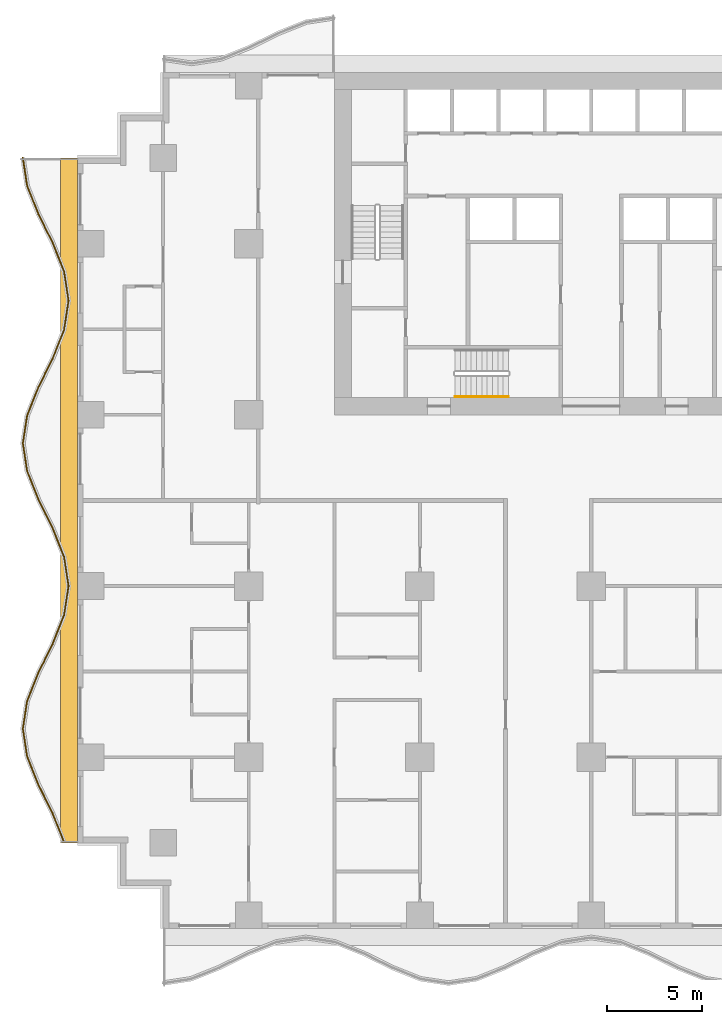
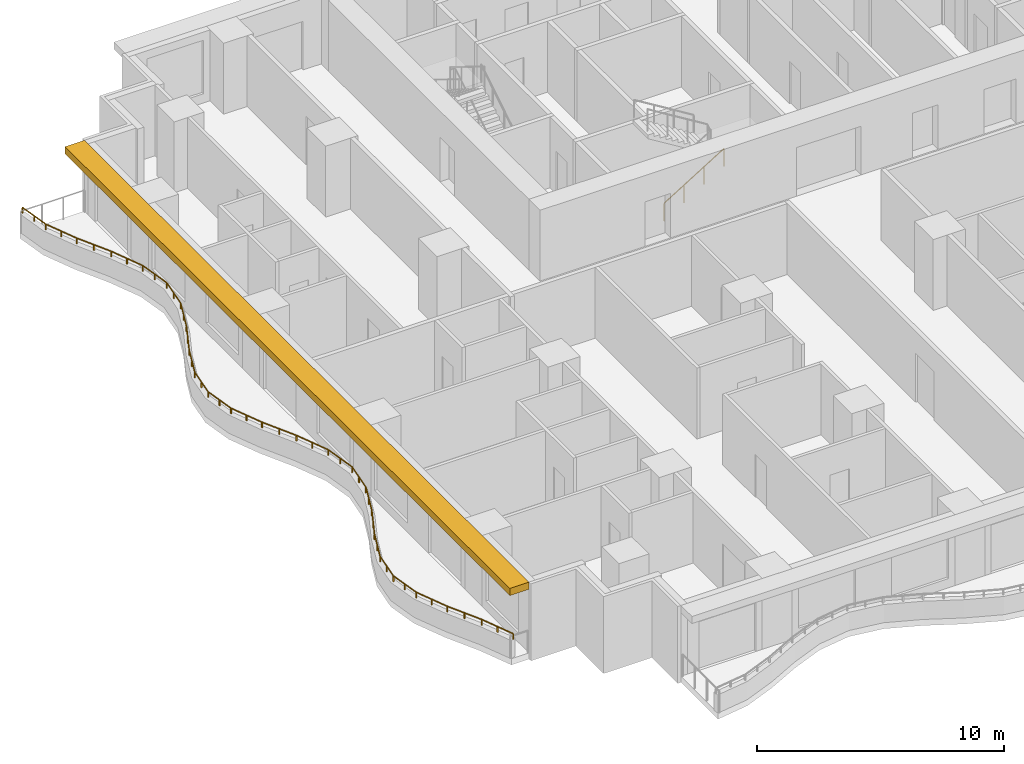
# One storey, part 8 of 13: 2 railings, 1 shading device.
"""IFC4 building model written with IfcOpenShell, lengths in metres."""

from ifc_helpers import new_model, si_unit, direction, frame, origin, origin_2d, place, context, subcontext, project, spatial, polyline, rectangle, circle, outline, extrude, material, layer, layer_set, type_object, element, save


model = new_model("IFC4")

# Units and contexts
model_context = context("Model", 3, precision=1e-05, world=origin(), true_north=direction((0.0, 1.0)))
body_context = subcontext(model_context, "Body", "Model", "MODEL_VIEW")
ifc_project = project(units=[si_unit("LENGTHUNIT", "METRE"), si_unit("AREAUNIT", "SQUARE_METRE"), si_unit("VOLUMEUNIT", "CUBIC_METRE"), si_unit("PLANEANGLEUNIT", "RADIAN"), si_unit("MASSUNIT", "GRAM", prefix="KILO")], contexts=[model_context])

# Site, building, storey
site_placement = place(None, origin())
site = spatial("IfcSite", under=ifc_project, at=site_placement, CompositionType="ELEMENT")
building_placement = place(site_placement, origin())
building = spatial("IfcBuilding", under=site, at=building_placement, Name="Orbiselva Terraces", CompositionType="ELEMENT")
storey_placement = place(building_placement, frame((0.0, 0.0, 53.0)))
storey = spatial("IfcBuildingStorey", under=building, at=storey_placement, Name="L13", CompositionType="ELEMENT", Elevation=53.0)

# Railings
ifc_material_1 = material(Name="Stainless steel", Category="steel")
railing_type_1 = type_object("IfcRailingType", Name="CORE-HANDRAIL-900", PredefinedType="HANDRAIL", material=ifc_material_1)
railing_1_placement = place(storey_placement, frame((-7.15, 5.45, 0.172727)))
element("IfcRailing", 1, at=railing_1_placement, inside=storey, type_object=railing_type_1, Name="L13 S3 stair handrail 1", PredefinedType="HANDRAIL", context=body_context, shape_type="SweptSolid", body=[
    extrude(circle(Radius=0.024, at=origin_2d()), frame((0.0, 0.0, 0.876), z_axis=(0.851088519012, 0.0, 0.52502222125), x_axis=(0.0, 1.0, 0.0)), (0.0, 0.0, 1.0), 3.289905),
    extrude(circle(Radius=0.021, at=origin_2d()), origin(), (0.0, 0.0, 1.0), 0.852),
    extrude(circle(Radius=0.021, at=origin_2d()), frame((0.933333, 0.0, 0.575758)), (0.0, 0.0, 1.0), 0.852),
    extrude(circle(Radius=0.021, at=origin_2d()), frame((1.866667, 0.0, 1.151515)), (0.0, 0.0, 1.0), 0.852),
    extrude(circle(Radius=0.021, at=origin_2d()), frame((2.8, 0.0, 1.727273)), (0.0, 0.0, 1.0), 0.852),
])
ifc_material_2 = material(Name="Bonded two-ply safety glass balustrade, stainless steel posts", Category="steel")
railing_type_2 = type_object("IfcRailingType", Name="ENV-BALUSTRADE-1200", PredefinedType="BALUSTRADE", material=ifc_material_2)
railing_2_placement = place(storey_placement, frame((-29.876434, 18.018879, 0.9)))
element("IfcRailing", 2, at=railing_2_placement, inside=storey, type_object=railing_type_2, Name="Balcony balustrade L13 W", PredefinedType="BALUSTRADE", context=body_context, shape_type="SweptSolid", body=[
    extrude(outline(polyline([(0.028868, 0.0), (0.014434, 0.025), (-0.014434, 0.025), (-0.028868, 0.0), (-0.014434, -0.025), (0.014434, -0.025), (0.028868, 0.0)])), frame((0.0, 0.0, 0.275), z_axis=(0.151034103443, -0.988528552748, 0.0), x_axis=(0.988528552748, 0.151034103443, 0.0)), (0.0, 0.0, 1.0), 1.503038),
    extrude(outline(polyline([(0.028868, 0.0), (0.014434, 0.025), (-0.014434, 0.025), (-0.028868, 0.0), (-0.014434, -0.025), (0.014434, -0.025), (0.028868, 0.0)])), frame((0.22701, -1.485796, 0.275), z_axis=(0.371391000387, -0.928476561272, 0.0), x_axis=(0.928476561272, 0.371391000387, 0.0)), (0.0, 0.0, 1.0), 1.596261),
    extrude(outline(polyline([(0.028868, 0.0), (0.014434, 0.025), (-0.014434, 0.025), (-0.028868, 0.0), (-0.014434, -0.025), (0.014434, -0.025), (0.028868, 0.0)])), frame((0.819847, -2.967887, 0.275), z_axis=(0.443212307306, -0.896416672454, 0.0), x_axis=(0.896416672454, 0.443212307306, 0.0)), (0.0, 0.0, 1.0), 1.673329),
    extrude(outline(polyline([(0.028868, 0.0), (0.014434, 0.025), (-0.014434, 0.025), (-0.028868, 0.0), (-0.014434, -0.025), (0.014434, -0.025), (0.028868, 0.0)])), frame((1.561487, -4.467887, 0.275), z_axis=(0.371390359967, -0.92847681744, 0.0), x_axis=(0.92847681744, 0.371390359967, 0.0)), (0.0, 0.0, 1.0), 1.634838),
    extrude(outline(polyline([(0.028868, 0.0), (0.014434, 0.025), (-0.014434, 0.025), (-0.028868, 0.0), (-0.014434, -0.025), (0.014434, -0.025), (0.028868, 0.0)])), frame((2.16865, -5.985796, 0.275), z_axis=(0.151034211256, -0.988528536275, 0.0), x_axis=(0.988528536275, 0.151034211256, 0.0)), (0.0, 0.0, 1.0), 1.550874),
    extrude(outline(polyline([(0.028868, 0.0), (0.014434, 0.025), (-0.014434, 0.025), (-0.028868, 0.0), (-0.014434, -0.025), (0.014434, -0.025), (0.028868, 0.0)])), frame((2.402885, -7.518879, 0.275), z_axis=(-0.151034211256, -0.988528536275, 0.0), x_axis=(0.988528536275, -0.151034211256, 0.0)), (0.0, 0.0, 1.0), 1.550874),
    extrude(outline(polyline([(0.028868, 0.0), (0.014434, 0.025), (-0.014434, 0.025), (-0.028868, 0.0), (-0.014434, -0.025), (0.014434, -0.025), (0.028868, 0.0)])), frame((2.16865, -9.051962, 0.275), z_axis=(-0.371390359967, -0.92847681744, 0.0), x_axis=(0.92847681744, -0.371390359967, 0.0)), (0.0, 0.0, 1.0), 1.634838),
    extrude(outline(polyline([(0.028868, 0.0), (0.014434, 0.025), (-0.014434, 0.025), (-0.028868, 0.0), (-0.014434, -0.025), (0.014434, -0.025), (0.028868, 0.0)])), frame((1.561487, -10.569871, 0.275), z_axis=(-0.443212307306, -0.896416672454, 0.0), x_axis=(0.896416672454, -0.443212307306, 0.0)), (0.0, 0.0, 1.0), 1.673329),
    extrude(outline(polyline([(0.028868, 0.0), (0.014434, 0.025), (-0.014434, 0.025), (-0.028868, 0.0), (-0.014434, -0.025), (0.014434, -0.025), (0.028868, 0.0)])), frame((0.819847, -12.069871, 0.275), z_axis=(-0.371391000387, -0.928476561272, 0.0), x_axis=(0.928476561272, -0.371391000387, 0.0)), (0.0, 0.0, 1.0), 1.596261),
    extrude(outline(polyline([(0.028868, 0.0), (0.014434, 0.025), (-0.014434, 0.025), (-0.028868, 0.0), (-0.014434, -0.025), (0.014434, -0.025), (0.028868, 0.0)])), frame((0.22701, -13.551962, 0.275), z_axis=(-0.151033749027, -0.988528606898, 0.0), x_axis=(0.988528606898, -0.151033749027, 0.0)), (0.0, 0.0, 1.0), 1.48394),
    extrude(outline(polyline([(0.028868, 0.0), (0.014434, 0.025), (-0.014434, 0.025), (-0.028868, 0.0), (-0.014434, -0.025), (0.014434, -0.025), (0.028868, 0.0)])), frame((0.002885, -15.018879, 0.275), z_axis=(0.151033749027, -0.988528606898, 0.0), x_axis=(0.988528606898, 0.151033749027, 0.0)), (0.0, 0.0, 1.0), 1.48394),
    extrude(outline(polyline([(0.028868, 0.0), (0.014434, 0.025), (-0.014434, 0.025), (-0.028868, 0.0), (-0.014434, -0.025), (0.014434, -0.025), (0.028868, 0.0)])), frame((0.22701, -16.485796, 0.275), z_axis=(0.371391000387, -0.928476561272, 0.0), x_axis=(0.928476561272, 0.371391000387, 0.0)), (0.0, 0.0, 1.0), 1.596261),
    extrude(outline(polyline([(0.028868, 0.0), (0.014434, 0.025), (-0.014434, 0.025), (-0.028868, 0.0), (-0.014434, -0.025), (0.014434, -0.025), (0.028868, 0.0)])), frame((0.819847, -17.967887, 0.275), z_axis=(0.443212307306, -0.896416672454, 0.0), x_axis=(0.896416672454, 0.443212307306, 0.0)), (0.0, 0.0, 1.0), 1.673329),
    extrude(outline(polyline([(0.028868, 0.0), (0.014434, 0.025), (-0.014434, 0.025), (-0.028868, 0.0), (-0.014434, -0.025), (0.014434, -0.025), (0.028868, 0.0)])), frame((1.561487, -19.467887, 0.275), z_axis=(0.371390359967, -0.92847681744, 0.0), x_axis=(0.92847681744, 0.371390359967, 0.0)), (0.0, 0.0, 1.0), 1.634838),
    extrude(outline(polyline([(0.028868, 0.0), (0.014434, 0.025), (-0.014434, 0.025), (-0.028868, 0.0), (-0.014434, -0.025), (0.014434, -0.025), (0.028868, 0.0)])), frame((2.16865, -20.985796, 0.275), z_axis=(0.151034211256, -0.988528536275, 0.0), x_axis=(0.988528536275, 0.151034211256, 0.0)), (0.0, 0.0, 1.0), 1.550874),
    extrude(outline(polyline([(0.028868, 0.0), (0.014434, 0.025), (-0.014434, 0.025), (-0.028868, 0.0), (-0.014434, -0.025), (0.014434, -0.025), (0.028868, 0.0)])), frame((2.402885, -22.518879, 0.275), z_axis=(-0.151034211256, -0.988528536275, 0.0), x_axis=(0.988528536275, -0.151034211256, 0.0)), (0.0, 0.0, 1.0), 1.550874),
    extrude(outline(polyline([(0.028868, 0.0), (0.014434, 0.025), (-0.014434, 0.025), (-0.028868, 0.0), (-0.014434, -0.025), (0.014434, -0.025), (0.028868, 0.0)])), frame((2.16865, -24.051962, 0.275), z_axis=(-0.371390359967, -0.92847681744, 0.0), x_axis=(0.92847681744, -0.371390359967, 0.0)), (0.0, 0.0, 1.0), 1.634838),
    extrude(outline(polyline([(0.028868, 0.0), (0.014434, 0.025), (-0.014434, 0.025), (-0.028868, 0.0), (-0.014434, -0.025), (0.014434, -0.025), (0.028868, 0.0)])), frame((1.561487, -25.569871, 0.275), z_axis=(-0.443212307306, -0.896416672454, 0.0), x_axis=(0.896416672454, -0.443212307306, 0.0)), (0.0, 0.0, 1.0), 1.673329),
    extrude(outline(polyline([(0.028868, 0.0), (0.014434, 0.025), (-0.014434, 0.025), (-0.028868, 0.0), (-0.014434, -0.025), (0.014434, -0.025), (0.028868, 0.0)])), frame((0.819847, -27.069871, 0.275), z_axis=(-0.371391000387, -0.928476561272, 0.0), x_axis=(0.928476561272, -0.371391000387, 0.0)), (0.0, 0.0, 1.0), 1.596261),
    extrude(outline(polyline([(0.028868, 0.0), (0.014434, 0.025), (-0.014434, 0.025), (-0.028868, 0.0), (-0.014434, -0.025), (0.014434, -0.025), (0.028868, 0.0)])), frame((0.22701, -28.551962, 0.275), z_axis=(-0.151033749027, -0.988528606898, 0.0), x_axis=(0.988528606898, -0.151033749027, 0.0)), (0.0, 0.0, 1.0), 1.48394),
    extrude(outline(polyline([(0.028868, 0.0), (0.014434, 0.025), (-0.014434, 0.025), (-0.028868, 0.0), (-0.014434, -0.025), (0.014434, -0.025), (0.028868, 0.0)])), frame((0.002885, -30.018879, 0.275), z_axis=(0.151033749027, -0.988528606898, 0.0), x_axis=(0.988528606898, 0.151033749027, 0.0)), (0.0, 0.0, 1.0), 1.48394),
    extrude(outline(polyline([(0.028868, 0.0), (0.014434, 0.025), (-0.014434, 0.025), (-0.028868, 0.0), (-0.014434, -0.025), (0.014434, -0.025), (0.028868, 0.0)])), frame((0.22701, -31.485796, 0.275), z_axis=(0.371391000387, -0.928476561272, 0.0), x_axis=(0.928476561272, 0.371391000387, 0.0)), (0.0, 0.0, 1.0), 1.596261),
    extrude(outline(polyline([(0.028868, 0.0), (0.014434, 0.025), (-0.014434, 0.025), (-0.028868, 0.0), (-0.014434, -0.025), (0.014434, -0.025), (0.028868, 0.0)])), frame((0.819847, -32.967887, 0.275), z_axis=(0.443212307306, -0.896416672454, 0.0), x_axis=(0.896416672454, 0.443212307306, 0.0)), (0.0, 0.0, 1.0), 1.673329),
    extrude(outline(polyline([(0.028868, 0.0), (0.014434, 0.025), (-0.014434, 0.025), (-0.028868, 0.0), (-0.014434, -0.025), (0.014434, -0.025), (0.028868, 0.0)])), frame((1.561487, -34.467887, 0.275), z_axis=(0.371390569957, -0.928476733444, 0.0), x_axis=(0.928476733444, 0.371390569957, 0.0)), (0.0, 0.0, 1.0), 1.620469),
    extrude(rectangle(XDim=0.05, YDim=0.05, at=origin_2d()), origin(), (0.0, 0.0, 1.0), 0.25),
    extrude(rectangle(XDim=0.05, YDim=0.05, at=origin_2d()), frame((0.113505, -0.742898, 0.0)), (0.0, 0.0, 1.0), 0.25),
    extrude(rectangle(XDim=0.05, YDim=0.05, at=origin_2d()), frame((0.22701, -1.485796, 0.0)), (0.0, 0.0, 1.0), 0.25),
    extrude(rectangle(XDim=0.05, YDim=0.05, at=origin_2d()), frame((0.523428, -2.226841, 0.0)), (0.0, 0.0, 1.0), 0.25),
    extrude(rectangle(XDim=0.05, YDim=0.05, at=origin_2d()), frame((0.819847, -2.967887, 0.0)), (0.0, 0.0, 1.0), 0.25),
    extrude(rectangle(XDim=0.05, YDim=0.05, at=origin_2d()), frame((1.190667, -3.717887, 0.0)), (0.0, 0.0, 1.0), 0.25),
    extrude(rectangle(XDim=0.05, YDim=0.05, at=origin_2d()), frame((1.561487, -4.467887, 0.0)), (0.0, 0.0, 1.0), 0.25),
    extrude(rectangle(XDim=0.05, YDim=0.05, at=origin_2d()), frame((1.865068, -5.226841, 0.0)), (0.0, 0.0, 1.0), 0.25),
    extrude(rectangle(XDim=0.05, YDim=0.05, at=origin_2d()), frame((2.16865, -5.985796, 0.0)), (0.0, 0.0, 1.0), 0.25),
    extrude(rectangle(XDim=0.05, YDim=0.05, at=origin_2d()), frame((2.285768, -6.752337, 0.0)), (0.0, 0.0, 1.0), 0.25),
    extrude(rectangle(XDim=0.05, YDim=0.05, at=origin_2d()), frame((2.402885, -7.518879, 0.0)), (0.0, 0.0, 1.0), 0.25),
    extrude(rectangle(XDim=0.05, YDim=0.05, at=origin_2d()), frame((2.285768, -8.28542, 0.0)), (0.0, 0.0, 1.0), 0.25),
    extrude(rectangle(XDim=0.05, YDim=0.05, at=origin_2d()), frame((2.16865, -9.051962, 0.0)), (0.0, 0.0, 1.0), 0.25),
    extrude(rectangle(XDim=0.05, YDim=0.05, at=origin_2d()), frame((1.865068, -9.810916, 0.0)), (0.0, 0.0, 1.0), 0.25),
    extrude(rectangle(XDim=0.05, YDim=0.05, at=origin_2d()), frame((1.561487, -10.569871, 0.0)), (0.0, 0.0, 1.0), 0.25),
    extrude(rectangle(XDim=0.05, YDim=0.05, at=origin_2d()), frame((1.190667, -11.319871, 0.0)), (0.0, 0.0, 1.0), 0.25),
    extrude(rectangle(XDim=0.05, YDim=0.05, at=origin_2d()), frame((0.819847, -12.069871, 0.0)), (0.0, 0.0, 1.0), 0.25),
    extrude(rectangle(XDim=0.05, YDim=0.05, at=origin_2d()), frame((0.523428, -12.810916, 0.0)), (0.0, 0.0, 1.0), 0.25),
    extrude(rectangle(XDim=0.05, YDim=0.05, at=origin_2d()), frame((0.22701, -13.551962, 0.0)), (0.0, 0.0, 1.0), 0.25),
    extrude(rectangle(XDim=0.05, YDim=0.05, at=origin_2d()), frame((0.114947, -14.28542, 0.0)), (0.0, 0.0, 1.0), 0.25),
    extrude(rectangle(XDim=0.05, YDim=0.05, at=origin_2d()), frame((0.002885, -15.018879, 0.0)), (0.0, 0.0, 1.0), 0.25),
    extrude(rectangle(XDim=0.05, YDim=0.05, at=origin_2d()), frame((0.114947, -15.752337, 0.0)), (0.0, 0.0, 1.0), 0.25),
    extrude(rectangle(XDim=0.05, YDim=0.05, at=origin_2d()), frame((0.22701, -16.485796, 0.0)), (0.0, 0.0, 1.0), 0.25),
    extrude(rectangle(XDim=0.05, YDim=0.05, at=origin_2d()), frame((0.523428, -17.226842, 0.0)), (0.0, 0.0, 1.0), 0.25),
    extrude(rectangle(XDim=0.05, YDim=0.05, at=origin_2d()), frame((0.819847, -17.967887, 0.0)), (0.0, 0.0, 1.0), 0.25),
    extrude(rectangle(XDim=0.05, YDim=0.05, at=origin_2d()), frame((1.190667, -18.717887, 0.0)), (0.0, 0.0, 1.0), 0.25),
    extrude(rectangle(XDim=0.05, YDim=0.05, at=origin_2d()), frame((1.561487, -19.467887, 0.0)), (0.0, 0.0, 1.0), 0.25),
    extrude(rectangle(XDim=0.05, YDim=0.05, at=origin_2d()), frame((1.865068, -20.226842, 0.0)), (0.0, 0.0, 1.0), 0.25),
    extrude(rectangle(XDim=0.05, YDim=0.05, at=origin_2d()), frame((2.16865, -20.985796, 0.0)), (0.0, 0.0, 1.0), 0.25),
    extrude(rectangle(XDim=0.05, YDim=0.05, at=origin_2d()), frame((2.285768, -21.752337, 0.0)), (0.0, 0.0, 1.0), 0.25),
    extrude(rectangle(XDim=0.05, YDim=0.05, at=origin_2d()), frame((2.402885, -22.518879, 0.0)), (0.0, 0.0, 1.0), 0.25),
    extrude(rectangle(XDim=0.05, YDim=0.05, at=origin_2d()), frame((2.285768, -23.28542, 0.0)), (0.0, 0.0, 1.0), 0.25),
    extrude(rectangle(XDim=0.05, YDim=0.05, at=origin_2d()), frame((2.16865, -24.051962, 0.0)), (0.0, 0.0, 1.0), 0.25),
    extrude(rectangle(XDim=0.05, YDim=0.05, at=origin_2d()), frame((1.865068, -24.810916, 0.0)), (0.0, 0.0, 1.0), 0.25),
    extrude(rectangle(XDim=0.05, YDim=0.05, at=origin_2d()), frame((1.561487, -25.569871, 0.0)), (0.0, 0.0, 1.0), 0.25),
    extrude(rectangle(XDim=0.05, YDim=0.05, at=origin_2d()), frame((1.190667, -26.319871, 0.0)), (0.0, 0.0, 1.0), 0.25),
    extrude(rectangle(XDim=0.05, YDim=0.05, at=origin_2d()), frame((0.819847, -27.069871, 0.0)), (0.0, 0.0, 1.0), 0.25),
    extrude(rectangle(XDim=0.05, YDim=0.05, at=origin_2d()), frame((0.523428, -27.810916, 0.0)), (0.0, 0.0, 1.0), 0.25),
    extrude(rectangle(XDim=0.05, YDim=0.05, at=origin_2d()), frame((0.22701, -28.551962, 0.0)), (0.0, 0.0, 1.0), 0.25),
    extrude(rectangle(XDim=0.05, YDim=0.05, at=origin_2d()), frame((0.114947, -29.28542, 0.0)), (0.0, 0.0, 1.0), 0.25),
    extrude(rectangle(XDim=0.05, YDim=0.05, at=origin_2d()), frame((0.002885, -30.018879, 0.0)), (0.0, 0.0, 1.0), 0.25),
    extrude(rectangle(XDim=0.05, YDim=0.05, at=origin_2d()), frame((0.114947, -30.752338, 0.0)), (0.0, 0.0, 1.0), 0.25),
    extrude(rectangle(XDim=0.05, YDim=0.05, at=origin_2d()), frame((0.22701, -31.485796, 0.0)), (0.0, 0.0, 1.0), 0.25),
    extrude(rectangle(XDim=0.05, YDim=0.05, at=origin_2d()), frame((0.523428, -32.226842, 0.0)), (0.0, 0.0, 1.0), 0.25),
    extrude(rectangle(XDim=0.05, YDim=0.05, at=origin_2d()), frame((0.819847, -32.967887, 0.0)), (0.0, 0.0, 1.0), 0.25),
    extrude(rectangle(XDim=0.05, YDim=0.05, at=origin_2d()), frame((1.190667, -33.717887, 0.0)), (0.0, 0.0, 1.0), 0.25),
    extrude(rectangle(XDim=0.05, YDim=0.05, at=origin_2d()), frame((1.561487, -34.467887, 0.0)), (0.0, 0.0, 1.0), 0.25),
    extrude(rectangle(XDim=0.05, YDim=0.05, at=origin_2d()), frame((1.8624, -35.220171, 0.0)), (0.0, 0.0, 1.0), 0.25),
    extrude(rectangle(XDim=0.05, YDim=0.05, at=origin_2d()), frame((2.163314, -35.972455, 0.0)), (0.0, 0.0, 1.0), 0.25),
])

# Shading device
ifc_material_3 = material(Name="Terracotta baguette sunshade", Category="masonry")
ifc_layer = layer(ifc_material_3, 0.35)
ifc_layer_set = layer_set([ifc_layer], Name="Terracotta baguette sunshade")
shading_device_type = type_object("IfcShadingDeviceType", Name="ENV-SUNSHADE-900x350", PredefinedType="USERDEFINED", material=ifc_layer_set)
shading_device_placement = place(storey_placement, frame((0.0, 0.0, 3.15)))
element("IfcShadingDevice", 3, at=shading_device_placement, inside=storey, type_object=shading_device_type, Name="Sunshade band L13 W", ObjectType="SUNSHADE", PredefinedType="USERDEFINED", context=body_context, shape_type="SweptSolid", body=[
    extrude(outline(polyline([(-27.9, 18.0), (-27.9, -18.0), (-27.0, -18.0), (-27.0, 18.0), (-27.9, 18.0)])), origin(), (0.0, 0.0, 1.0), 0.35),
])

save(model, "model.ifc")
